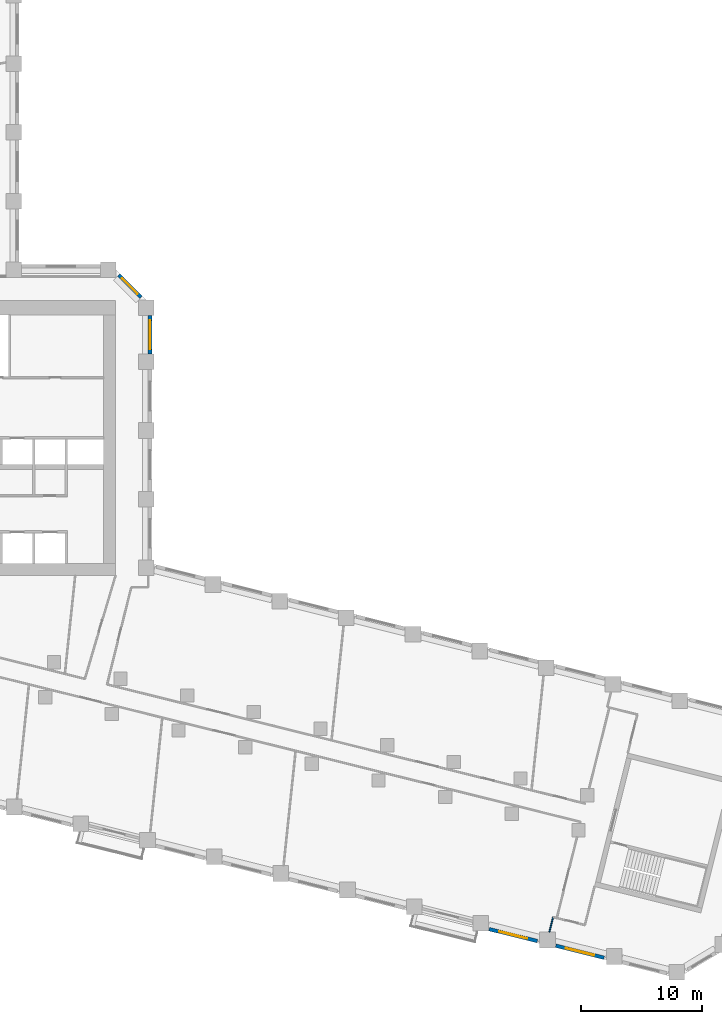
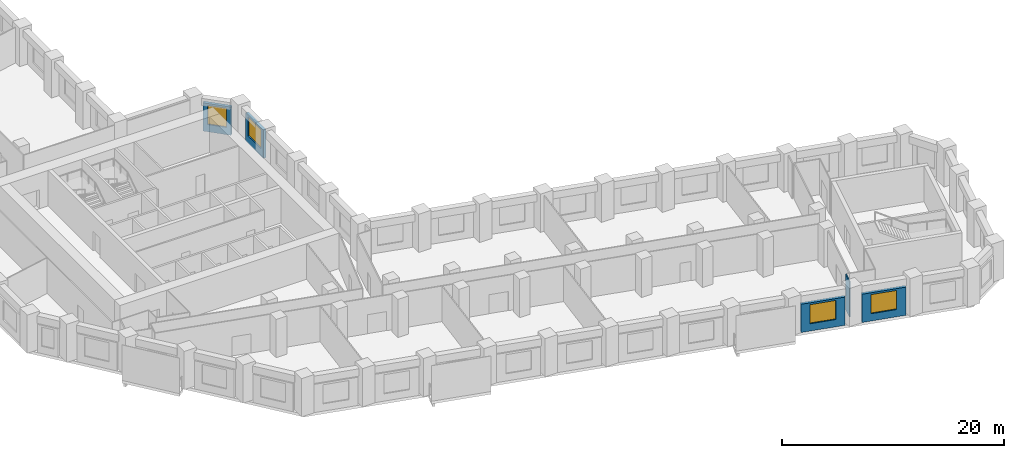
# One storey, part 6 of 11: 5 walls, 4 windows, 4 openings.
"""IFC4 building model written with IfcOpenShell, lengths in metres."""

from ifc_helpers import new_model, si_unit, direction, frame, frame_2d, origin, place, context, subcontext, project, spatial, rectangle, extrude, material, layer, layer_set, type_object, element, fill, save


model = new_model("IFC4")

# Units and contexts
model_context = context("Model", 3, precision=1e-05, world=origin(), true_north=direction((0.0, 1.0)))
body_context = subcontext(model_context, "Body", "Model", "MODEL_VIEW")
ifc_project = project(units=[si_unit("LENGTHUNIT", "METRE"), si_unit("AREAUNIT", "SQUARE_METRE"), si_unit("VOLUMEUNIT", "CUBIC_METRE"), si_unit("PLANEANGLEUNIT", "RADIAN"), si_unit("MASSUNIT", "GRAM", prefix="KILO")], contexts=[model_context])

# Site, building, storey
site_placement = place(None, origin())
site = spatial("IfcSite", under=ifc_project, at=site_placement, CompositionType="ELEMENT")
building_placement = place(site_placement, origin())
building = spatial("IfcBuilding", under=site, at=building_placement, Name="Meshkara Civic Tower", CompositionType="ELEMENT")
storey_placement = place(building_placement, frame((0.0, 0.0, 135.0)))
storey = spatial("IfcBuildingStorey", under=building, at=storey_placement, Name="L30", CompositionType="ELEMENT", Elevation=135.0)

# Wall, opening, window
ifc_material_1 = material(Name="Insulated infill panel with bronze anodised aluminium cladding", Category="aluminium")
ifc_layer_1 = layer(ifc_material_1, 0.300048828125)
ifc_layer_set_1 = layer_set([ifc_layer_1], Name="EXTERNAL INFILL WALL 300")
wall_type_1 = type_object("IfcWallType", Name="EXTERNAL INFILL WALL 300", PredefinedType="SOLIDWALL", material=ifc_layer_set_1)
wall_1_placement = place(storey_placement, frame((33.64990234375, 32.468994140625, 0.0), z_axis=(0.0, 0.0, 1.0), x_axis=(0.0, 1.0, 0.0)))
wall_1 = element("IfcWall", 1, at=wall_1_placement, inside=storey, type_object=wall_type_1, Name="External wall", PredefinedType="SOLIDWALL", context=body_context, shape_type="SweptSolid", body=[
    extrude(rectangle(XDim=3.175048828125, YDim=0.300048828125, at=frame_2d((1.58740234375, 0.0))), origin(), (0.0, 0.0, 1.0), 3.10009765625),
])
opening_1_placement = place(wall_1_placement, frame((0.387939453125, 0.0, 0.800048828125)))
opening_1 = element("IfcOpeningElement", 2, at=opening_1_placement, cuts=wall_1, Name="Opening W7", PredefinedType="OPENING", context=body_context, shape_type="SweptSolid", body=[
    extrude(rectangle(XDim=2.39990234375, YDim=2.10009765625, at=frame_2d((1.199951171875, 1.050048828125))), frame((0.0, 0.159912109375, 0.0), z_axis=(0.0, -1.0, 0.0), x_axis=(1.0, 0.0, 0.0)), (0.0, 0.0, 1.0), 0.320068359375),
])
ifc_material_2 = material(Name="Tinted double glazing", Category="glass")
window_type_1 = type_object("IfcWindowType", Name="WINDOW 2400x2100", PartitioningType="DOUBLE_PANEL_VERTICAL", PredefinedType="WINDOW", material=ifc_material_2)
window_1_placement = place(opening_1_placement, origin())
window_1 = element("IfcWindow", 3, at=window_1_placement, inside=storey, type_object=window_type_1, Name="Window", OverallHeight=2.10009765625, OverallWidth=2.39990234375, PartitioningType="DOUBLE_PANEL_VERTICAL", PredefinedType="WINDOW", context=body_context, shape_type="SweptSolid", body=[
    extrude(rectangle(XDim=2.39990234375, YDim=2.10009765625, at=frame_2d((1.199951171875, 1.050048828125))), frame((0.0, 0.030029296875, 0.0), z_axis=(0.0, -1.0, 0.0), x_axis=(1.0, 0.0, 0.0)), (0.0, 0.0, 1.0), 0.06005859375),
])
fill(opening_1, window_1)

wall_2_placement = place(storey_placement, frame((32.912109375, 37.156005859375, 0.0), z_axis=(0.0, 0.0, 1.0), x_axis=(-0.707153284542, 0.707060274772, 0.0)))
wall_2 = element("IfcWall", 4, at=wall_2_placement, inside=storey, type_object=wall_type_1, Name="External wall", PredefinedType="SOLIDWALL", context=body_context, shape_type="SweptSolid", body=[
    extrude(rectangle(XDim=2.625, YDim=0.300048828125, at=frame_2d((1.3125, 0.0))), origin(), (0.0, 0.0, 1.0), 3.10009765625),
])
opening_2_placement = place(wall_2_placement, frame((0.412109375, 0.0, 0.800048828125)))
opening_2 = element("IfcOpeningElement", 5, at=opening_2_placement, cuts=wall_2, Name="Opening W9", PredefinedType="OPENING", context=body_context, shape_type="SweptSolid", body=[
    extrude(rectangle(XDim=1.800048828125, YDim=2.10009765625, at=frame_2d((0.89990234375, 1.050048828125))), frame((0.0, 0.159912109375, 0.0), z_axis=(0.0, -1.0, 0.0), x_axis=(1.0, 0.0, 0.0)), (0.0, 0.0, 1.0), 0.320068359375),
])
ifc_material_3 = material(Name="Tinted double glazing", Category="glass")
window_type_2 = type_object("IfcWindowType", Name="WINDOW 1800x2100", PartitioningType="DOUBLE_PANEL_VERTICAL", PredefinedType="WINDOW", material=ifc_material_3)
window_2_placement = place(opening_2_placement, origin())
window_2 = element("IfcWindow", 6, at=window_2_placement, inside=storey, type_object=window_type_2, Name="Window", OverallHeight=2.10009765625, OverallWidth=1.800048828125, PartitioningType="DOUBLE_PANEL_VERTICAL", PredefinedType="WINDOW", context=body_context, shape_type="SweptSolid", body=[
    extrude(rectangle(XDim=1.800048828125, YDim=2.10009765625, at=frame_2d((0.89990234375, 1.050048828125))), frame((0.0, 0.030029296875, 0.0), z_axis=(0.0, -1.0, 0.0), x_axis=(1.0, 0.0, 0.0)), (0.0, 0.0, 1.0), 0.06005859375),
])
fill(opening_2, window_2)

wall_3_placement = place(storey_placement, frame((61.7890625, -15.2509765625, 0.0), z_axis=(0.0, 0.0, 1.0), x_axis=(0.970323340708, -0.24181111322, 0.0)))
wall_3 = element("IfcWall", 7, at=wall_3_placement, inside=storey, type_object=wall_type_1, Name="External wall", PredefinedType="SOLIDWALL", context=body_context, shape_type="SweptSolid", body=[
    extrude(rectangle(XDim=4.123291015625, YDim=0.300048828125, at=frame_2d((2.0615234375, 0.0))), origin(), (0.0, 0.0, 1.0), 3.10009765625),
])
opening_3_placement = place(wall_3_placement, frame((0.862060546875, 0.0, 0.800048828125)))
opening_3 = element("IfcOpeningElement", 8, at=opening_3_placement, cuts=wall_3, Name="Opening W7", PredefinedType="OPENING", context=body_context, shape_type="SweptSolid", body=[
    extrude(rectangle(XDim=2.39990234375, YDim=2.10009765625, at=frame_2d((1.199951171875, 1.050048828125))), frame((0.0, 0.159912109375, 0.0), z_axis=(0.0, -1.0, 0.0), x_axis=(1.0, 0.0, 0.0)), (0.0, 0.0, 1.0), 0.320068359375),
])
window_3_placement = place(opening_3_placement, origin())
window_3 = element("IfcWindow", 9, at=window_3_placement, inside=storey, type_object=window_type_1, Name="Window", OverallHeight=2.10009765625, OverallWidth=2.39990234375, PartitioningType="DOUBLE_PANEL_VERTICAL", PredefinedType="WINDOW", context=body_context, shape_type="SweptSolid", body=[
    extrude(rectangle(XDim=2.39990234375, YDim=2.10009765625, at=frame_2d((1.199951171875, 1.050048828125))), frame((0.0, 0.030029296875, 0.0), z_axis=(0.0, -1.0, 0.0), x_axis=(1.0, 0.0, 0.0)), (0.0, 0.0, 1.0), 0.06005859375),
])
fill(opening_3, window_3)

wall_4_placement = place(storey_placement, frame((67.319091796875, -16.6298828125, 0.0), z_axis=(0.0, 0.0, 1.0), x_axis=(0.970337184445, -0.241755555227, 0.0)))
wall_4 = element("IfcWall", 10, at=wall_4_placement, inside=storey, type_object=wall_type_1, Name="External wall", PredefinedType="SOLIDWALL", context=body_context, shape_type="SweptSolid", body=[
    extrude(rectangle(XDim=4.124267578125, YDim=0.300048828125, at=frame_2d((2.06201171875, 0.0))), origin(), (0.0, 0.0, 1.0), 3.10009765625),
])
opening_4_placement = place(wall_4_placement, frame((0.862060546875, 0.0, 0.800048828125)))
opening_4 = element("IfcOpeningElement", 11, at=opening_4_placement, cuts=wall_4, Name="Opening W7", PredefinedType="OPENING", context=body_context, shape_type="SweptSolid", body=[
    extrude(rectangle(XDim=2.39990234375, YDim=2.10009765625, at=frame_2d((1.199951171875, 1.050048828125))), frame((0.0, 0.159912109375, 0.0), z_axis=(0.0, -1.0, 0.0), x_axis=(1.0, 0.0, 0.0)), (0.0, 0.0, 1.0), 0.320068359375),
])
window_4_placement = place(opening_4_placement, origin())
window_4 = element("IfcWindow", 12, at=window_4_placement, inside=storey, type_object=window_type_1, Name="Window", OverallHeight=2.10009765625, OverallWidth=2.39990234375, PartitioningType="DOUBLE_PANEL_VERTICAL", PredefinedType="WINDOW", context=body_context, shape_type="SweptSolid", body=[
    extrude(rectangle(XDim=2.39990234375, YDim=2.10009765625, at=frame_2d((1.199951171875, 1.050048828125))), frame((0.0, 0.030029296875, 0.0), z_axis=(0.0, -1.0, 0.0), x_axis=(1.0, 0.0, 0.0)), (0.0, 0.0, 1.0), 0.06005859375),
])
fill(opening_4, window_4)

# Wall
ifc_material_4 = material(Name="Partition 100")
ifc_layer_2 = layer(ifc_material_4, 0.10009765625)
ifc_layer_set_2 = layer_set([ifc_layer_2], Name="Partition 100")
wall_type_2 = type_object("IfcWallType", Name="Partition 100", PredefinedType="PARTITIONING", material=ifc_layer_set_2)
wall_5_placement = place(storey_placement, frame((66.7890625, -15.498046875, 0.0), z_axis=(0.0, 0.0, 1.0), x_axis=(0.242221476086, 0.970220983345, 0.0)))
element("IfcWall", 13, at=wall_5_placement, inside=storey, type_object=wall_type_2, Name="L30-W050", PredefinedType="PARTITIONING", context=body_context, shape_type="SweptSolid", body=[
    extrude(rectangle(XDim=1.280029296875, YDim=0.10009765625, at=frame_2d((0.64013671875, 0.0))), origin(), (0.0, 0.0, 1.0), 3.89990234375),
])

save(model, "model.ifc")
